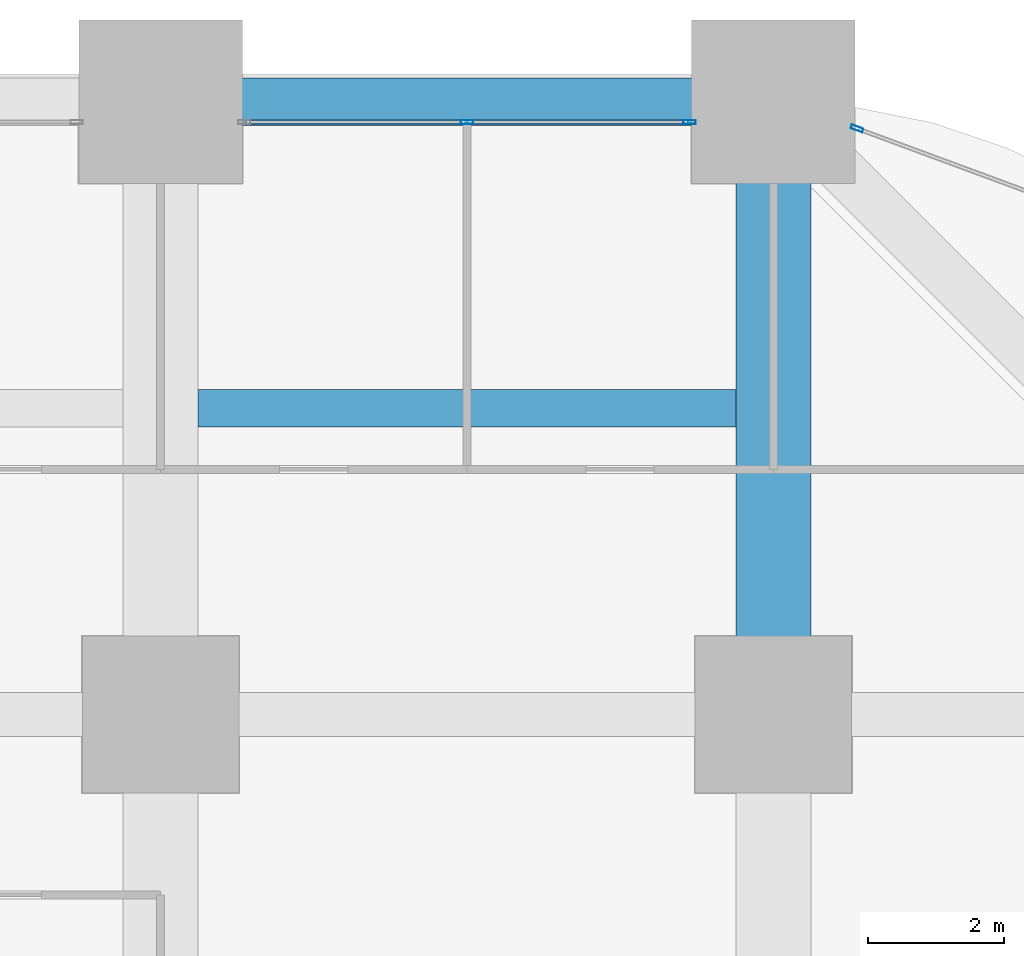
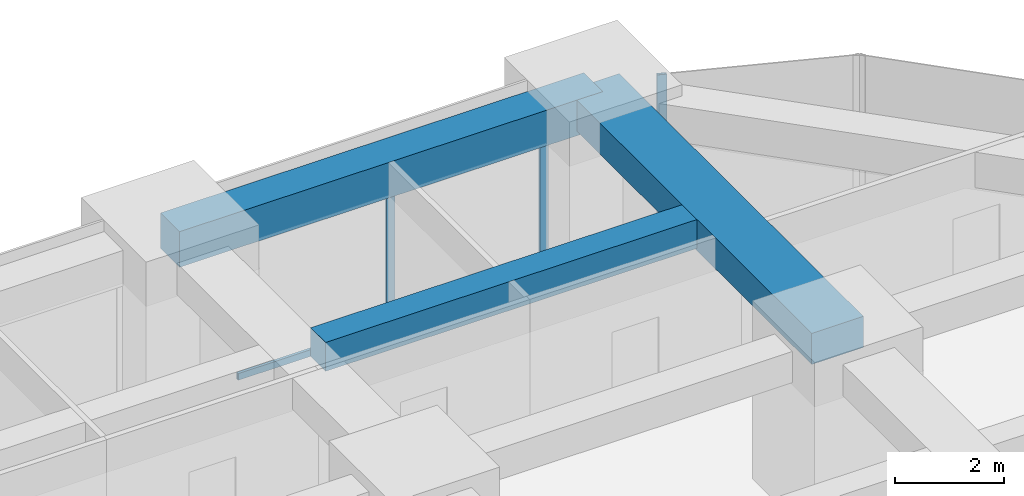
# One storey, part 36 of 45: 4 members, 3 beams, 2 elements without a shape of their own.
"""IFC4 building model written with IfcOpenShell, lengths in metres."""

from ifc_helpers import new_model, si_unit, direction, frame, origin, origin_2d, place, context, subcontext, project, spatial, rectangle, hollow_rectangle, extrude, material, material_profile, profile_set, type_object, element, aggregate, save


model = new_model("IFC4")

# Units and contexts
model_context = context("Model", 3, precision=1e-05, world=origin(), true_north=direction((0.0, 1.0)))
body_context = subcontext(model_context, "Body", "Model", "MODEL_VIEW")
ifc_project = project(units=[si_unit("LENGTHUNIT", "METRE"), si_unit("AREAUNIT", "SQUARE_METRE"), si_unit("VOLUMEUNIT", "CUBIC_METRE"), si_unit("PLANEANGLEUNIT", "RADIAN"), si_unit("MASSUNIT", "GRAM", prefix="KILO")], contexts=[model_context])

# Site, building, storey
site_placement = place(None, origin())
site = spatial("IfcSite", under=ifc_project, at=site_placement, CompositionType="ELEMENT")
building_placement = place(site_placement, origin())
building = spatial("IfcBuilding", under=site, at=building_placement, Name="Zorevar Civic Tower", CompositionType="ELEMENT")
storey_placement = place(building_placement, frame((0.0, 0.0, 39.800048828125)))
storey = spatial("IfcBuildingStorey", under=building, at=storey_placement, Name="L09", CompositionType="ELEMENT", Elevation=39.800048828125)

# Beams
ifc_material_1 = material(Name="Concrete C50/60", Category="concrete")
ifc_material_profile_1 = material_profile(ifc_material_1, rectangle(XDim=1.10009765625, YDim=0.699951171875, at=origin_2d()), Name="RC 1100x700")
ifc_profile_set_1 = profile_set([ifc_material_profile_1], Name="Concrete C50/60")
beam_type_1 = type_object("IfcBeamType", Name="Beam RC 1100x700", PredefinedType="BEAM", material=ifc_profile_set_1)
beam_1_placement = place(storey_placement, frame((54.0, 45.0, 3.39990234375), z_axis=(0.0, 1.0, 0.0), x_axis=(-1.0, 0.0, 0.0)))
element("IfcBeam", 1, at=beam_1_placement, inside=storey, type_object=beam_type_1, Name="Girder L10", PredefinedType="BEAM", context=body_context, shape_type="SweptSolid", body=[
    extrude(rectangle(XDim=1.10009765625, YDim=0.699951171875, at=origin_2d()), origin(), (0.0, 0.0, 1.0), 9.0),
])
ifc_material_2 = material(Name="Concrete C50/60", Category="concrete")
ifc_material_profile_2 = material_profile(ifc_material_2, rectangle(XDim=0.550048828125, YDim=0.64990234375, at=origin_2d()), Name="RC 550x650")
ifc_profile_set_2 = profile_set([ifc_material_profile_2], Name="Concrete C50/60")
beam_type_2 = type_object("IfcBeamType", Name="Beam RC 550x650", PredefinedType="BEAM", material=ifc_profile_set_2)
beam_2_placement = place(storey_placement, frame((45.550048828125, 49.5, 3.425048828125), z_axis=(1.0, 0.0, 0.0), x_axis=(0.0, 1.0, 0.0)))
element("IfcBeam", 2, at=beam_2_placement, inside=storey, type_object=beam_type_2, Name="Secondary beam L10", PredefinedType="BEAM", context=body_context, shape_type="SweptSolid", body=[
    extrude(rectangle(XDim=0.550048828125, YDim=0.64990234375, at=origin_2d()), origin(), (0.0, 0.0, 1.0), 7.89990234375),
])

# Curtain wall, members
ifc_material_3 = material(Name="Dark grey solar-control glass in black aluminium frame", Category="aluminium")
curtain_wall_type = type_object("IfcCurtainWallType", Name="Curtain wall CW2 low zone", PredefinedType="NOTDEFINED", material=ifc_material_3)
curtain_wall_1_placement = place(storey_placement, origin())
curtain_wall_1 = element("IfcCurtainWall", 3, at=curtain_wall_1_placement, inside=storey, type_object=curtain_wall_type, Name="CW2 L09", PredefinedType="NOTDEFINED")
ifc_material_4 = material(Name="Aluminium, black anodised", Category="aluminium")
ifc_material_profile_3 = material_profile(ifc_material_4, hollow_rectangle(XDim=0.06005859375, YDim=0.179931640625, WallThickness=0.00390625, at=origin_2d()), Name="AL 180x60x4")
ifc_profile_set_3 = profile_set([ifc_material_profile_3], Name="Aluminium, black anodised")
member_type_1 = type_object("IfcMemberType", Name="CW2 mullion AL 180x60x4", PredefinedType="MULLION", material=ifc_profile_set_3)
member_1_placement = place(storey_placement, frame((49.5, 53.699951171875, 0.06005859375), z_axis=(0.0, 0.0, 1.0), x_axis=(0.0, 1.0, 0.0)))
member_1 = element("IfcMember", 4, at=member_1_placement, type_object=member_type_1, Name="CW2 mullion 2", PredefinedType="MULLION", context=body_context, shape_type="SweptSolid", body=[
    extrude(hollow_rectangle(XDim=0.06005859375, YDim=0.179931640625, WallThickness=0.00390625, at=origin_2d()), origin(), (0.0, 0.0, 1.0), 2.889892578125),
])
member_2_placement = place(storey_placement, frame((52.77001953125, 53.699951171875, 0.0), z_axis=(0.0, 0.0, 1.0), x_axis=(0.0, 1.0, 0.0)))
member_2 = element("IfcMember", 5, at=member_2_placement, type_object=member_type_1, Name="CW2 mullion 3", PredefinedType="MULLION", context=body_context, shape_type="SweptSolid", body=[
    extrude(hollow_rectangle(XDim=0.06005859375, YDim=0.179931640625, WallThickness=0.00390625, at=origin_2d()), origin(), (0.0, 0.0, 1.0), 2.949951171875),
])

# Curtain wall, member
curtain_wall_2_placement = place(storey_placement, origin())
curtain_wall_2 = element("IfcCurtainWall", 6, at=curtain_wall_2_placement, inside=storey, type_object=curtain_wall_type, Name="CW2 L09", PredefinedType="NOTDEFINED")
member_3_placement = place(storey_placement, frame((55.22802734375, 53.6064453125, 0.0), z_axis=(0.0, 0.0, 1.0), x_axis=(-0.346704012033, -0.937974588163, 0.0)))
member_3 = element("IfcMember", 7, at=member_3_placement, type_object=member_type_1, Name="CW2 mullion 2", PredefinedType="MULLION", context=body_context, shape_type="SweptSolid", body=[
    extrude(hollow_rectangle(XDim=0.06005859375, YDim=0.179931640625, WallThickness=0.00390625, at=origin_2d()), origin(), (0.0, 0.0, 1.0), 3.75),
])
aggregate(curtain_wall_2, [member_3])

# Member
ifc_material_5 = material(Name="Aluminium, black anodised", Category="aluminium")
ifc_material_profile_4 = material_profile(ifc_material_5, hollow_rectangle(XDim=0.06005859375, YDim=0.14990234375, WallThickness=0.00390625, at=origin_2d()), Name="AL 150x60x4")
ifc_profile_set_4 = profile_set([ifc_material_profile_4], Name="Aluminium, black anodised")
member_type_2 = type_object("IfcMemberType", Name="CW2 transom AL 150x60x4", PredefinedType="USERDEFINED", material=ifc_profile_set_4)
member_4_placement = place(storey_placement, frame((46.260009765625, 53.699951171875, 0.030029296875), z_axis=(1.0, 0.0, 0.0), x_axis=(0.0, 1.0, 0.0)))
member_4 = element("IfcMember", 8, at=member_4_placement, type_object=member_type_2, Name="CW2 sill transom", ObjectType="TRANSOM", PredefinedType="USERDEFINED", context=body_context, shape_type="SweptSolid", body=[
    extrude(hollow_rectangle(XDim=0.06005859375, YDim=0.14990234375, WallThickness=0.00390625, at=origin_2d()), origin(), (0.0, 0.0, 1.0), 6.47998046875),
])

aggregate(curtain_wall_1, [member_1, member_2, member_4])

# Beam
ifc_material_6 = material(Name="Concrete C50/60", Category="concrete")
ifc_material_profile_5 = material_profile(ifc_material_6, rectangle(XDim=0.699951171875, YDim=0.800048828125, at=origin_2d()), Name="RC 700x800")
ifc_profile_set_5 = profile_set([ifc_material_profile_5], Name="Concrete C50/60")
beam_type_3 = type_object("IfcBeamType", Name="Edge beam RC 700x800", PredefinedType="SPANDREL", material=ifc_profile_set_5)
beam_3_placement = place(storey_placement, frame((45.0, 54.0, 3.349853515625), z_axis=(1.0, 0.0, 0.0), x_axis=(0.0, 1.0, 0.0)))
element("IfcBeam", 9, at=beam_3_placement, inside=storey, type_object=beam_type_3, Name="Edge beam L10", PredefinedType="SPANDREL", context=body_context, shape_type="SweptSolid", body=[
    extrude(rectangle(XDim=0.699951171875, YDim=0.800048828125, at=origin_2d()), origin(), (0.0, 0.0, 1.0), 9.0),
])

save(model, "model.ifc")
